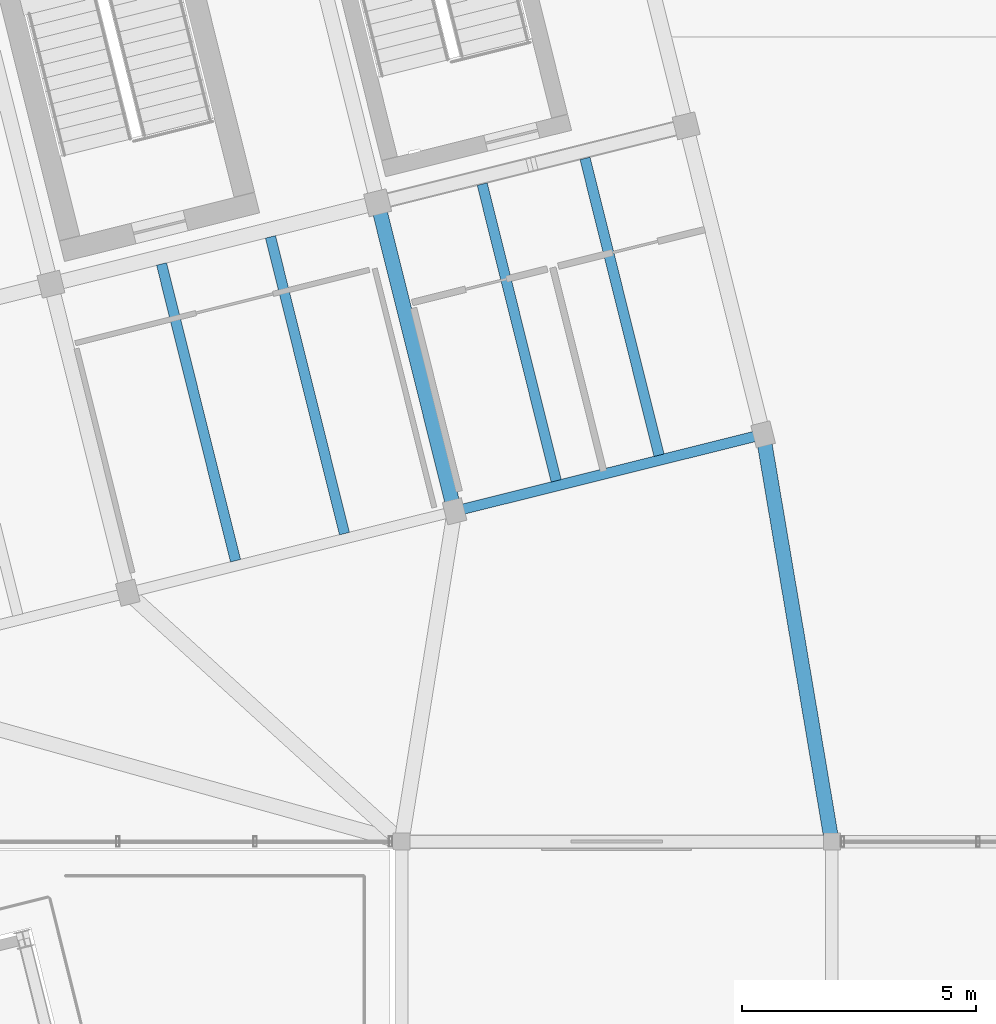
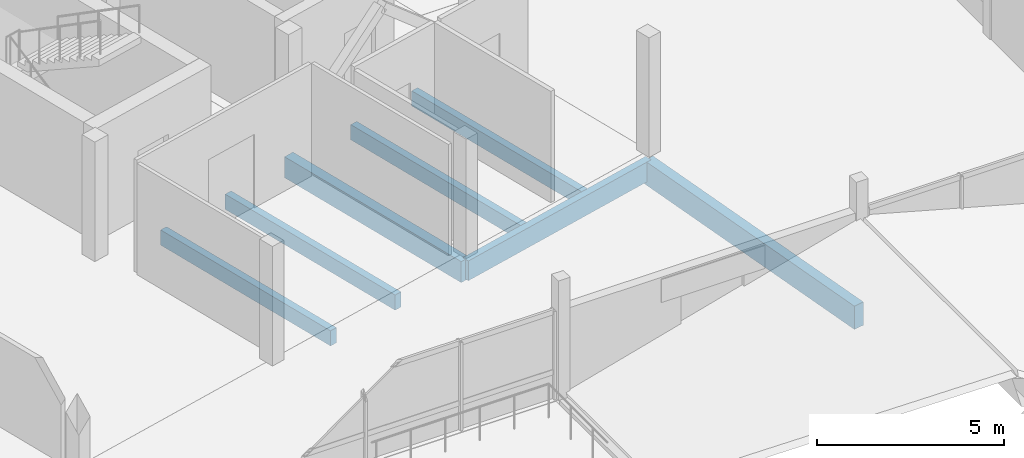
# One storey, part 18 of 39: 7 beams.
"""IFC4 building model written with IfcOpenShell, lengths in metres."""

from ifc_helpers import new_model, si_unit, direction, frame, origin, origin_2d, place, context, subcontext, project, spatial, rectangle, extrude, material, material_profile, profile_set, type_object, element, save


model = new_model("IFC4")

# Units and contexts
model_context = context("Model", 3, precision=1e-05, world=origin(), true_north=direction((0.0, 1.0)))
body_context = subcontext(model_context, "Body", "Model", "MODEL_VIEW")
ifc_project = project(units=[si_unit("LENGTHUNIT", "METRE"), si_unit("AREAUNIT", "SQUARE_METRE"), si_unit("VOLUMEUNIT", "CUBIC_METRE"), si_unit("PLANEANGLEUNIT", "RADIAN"), si_unit("MASSUNIT", "GRAM", prefix="KILO")], contexts=[model_context])

# Site, building, storey
site_placement = place(None, origin())
site = spatial("IfcSite", under=ifc_project, at=site_placement, CompositionType="ELEMENT")
building_placement = place(site_placement, origin())
building = spatial("IfcBuilding", under=site, at=building_placement, Name="Meriwether Solvik Hall", CompositionType="ELEMENT")
storey_placement = place(building_placement, frame((0.0, 0.0, 22.199951171875)))
storey = spatial("IfcBuildingStorey", under=building, at=storey_placement, Name="L05", CompositionType="ELEMENT", Elevation=22.199951171875)

# Beams
ifc_material_1 = material(Name="Glulam Douglas-Fir 24F-V8 GL28h", Category="wood")
ifc_material_profile_1 = material_profile(ifc_material_1, rectangle(XDim=0.221923828125, YDim=0.64501953125, at=origin_2d()), Name="GLB-222X645")
ifc_profile_set_1 = profile_set([ifc_material_profile_1], Name="Glulam Douglas-Fir 24F-V8 GL28h")
beam_type_1 = type_object("IfcBeamType", Name="BM-GL-222X645", PredefinedType="SPANDREL", material=ifc_profile_set_1)
beam_1_placement = place(storey_placement, frame((96.9326171875, 48.26416015625, -0.5673828125), z_axis=(0.970298579828, 0.24191045034, 0.0), x_axis=(-0.24191045034, 0.970298579828, 0.0)))
element("IfcBeam", 1, at=beam_1_placement, inside=storey, type_object=beam_type_1, Name="Tower Girder TA:T5-T6 (L05)", PredefinedType="SPANDREL", context=body_context, shape_type="SweptSolid", body=[
    extrude(rectangle(XDim=0.221923828125, YDim=0.64501953125, at=origin_2d()), origin(), (0.0, 0.0, 1.0), 6.800048828125),
])
ifc_material_2 = material(Name="Glulam Douglas-Fir 24F-V8 GL28h", Category="wood")
ifc_material_profile_2 = material_profile(ifc_material_2, rectangle(XDim=0.31494140625, YDim=0.68505859375, at=origin_2d()), Name="GLB-315X685")
ifc_profile_set_2 = profile_set([ifc_material_profile_2], Name="Glulam Douglas-Fir 24F-V8 GL28h")
beam_type_2 = type_object("IfcBeamType", Name="BM-GL-315X685", PredefinedType="BEAM", material=ifc_profile_set_2)
beam_2_placement = place(storey_placement, frame((96.9326171875, 48.26416015625, -0.58740234375), z_axis=(-0.241918877831, 0.970296478685, 0.0), x_axis=(-0.970296478685, -0.241918877831, 0.0)))
element("IfcBeam", 2, at=beam_2_placement, inside=storey, type_object=beam_type_2, Name="Tower Girder T5:TA-TB (L05)", PredefinedType="BEAM", context=body_context, shape_type="SweptSolid", body=[
    extrude(rectangle(XDim=0.31494140625, YDim=0.68505859375, at=origin_2d()), origin(), (0.0, 0.0, 1.0), 6.7998046875),
])
ifc_material_3 = material(Name="Glulam Douglas-Fir 24F-V8 GL28h", Category="wood")
ifc_material_profile_3 = material_profile(ifc_material_3, rectangle(XDim=0.31494140625, YDim=0.760009765625, at=origin_2d()), Name="GLB-315X760")
ifc_profile_set_3 = profile_set([ifc_material_profile_3], Name="Glulam Douglas-Fir 24F-V8 GL28h")
beam_type_3 = type_object("IfcBeamType", Name="BM-GL-315X760", PredefinedType="BEAM", material=ifc_profile_set_3)
beam_3_placement = place(storey_placement, frame((103.53076171875, 49.9091796875, -0.625), z_axis=(0.166348535765, -0.986067018335, 0.0), x_axis=(0.986067018335, 0.166348535765, 0.0)))
element("IfcBeam", 3, at=beam_3_placement, inside=storey, type_object=beam_type_3, Name="Diaphragm Collector Girder T6/TA-12/E (L05)", PredefinedType="BEAM", context=body_context, shape_type="SweptSolid", body=[
    extrude(rectangle(XDim=0.31494140625, YDim=0.760009765625, at=origin_2d()), origin(), (0.0, 0.0, 1.0), 8.832275390625),
])
ifc_material_4 = material(Name="Glulam Douglas-Fir 24F-V8 GL28h", Category="wood")
ifc_material_profile_4 = material_profile(ifc_material_4, rectangle(XDim=0.221923828125, YDim=0.4951171875, at=origin_2d()), Name="GLJ-222X495")
ifc_profile_set_4 = profile_set([ifc_material_profile_4], Name="Glulam Douglas-Fir 24F-V8 GL28h")
beam_type_4 = type_object("IfcBeamType", Name="JST-GL-222X495", PredefinedType="JOIST", material=ifc_profile_set_4)
for number, where, z_axis, x_axis, name in (
    (4, (92.24951171875, 47.205810546875, -0.492431640625), (-0.241920861923, 0.970295984, 0.0), (-0.970295984, -0.241920861923, 0.0), "Glulam Floor Joist T4/TA-J1 (L05)"),
    (5, (94.578369140625, 47.786376953125, -0.492431640625), (-0.241920861923, 0.970295984, 0.0), (-0.970295984, -0.241920861923, 0.0), "Glulam Floor Joist T4/TA-J2 (L05)"),
    (6, (99.1064453125, 48.915283203125, -0.492431640625), (-0.241920861923, 0.970295984, 0.0), (-0.970295984, -0.241920861923, 0.0), "Glulam Floor Joist T5/TA-J1 (L05)"),
    (7, (101.3056640625, 49.463623046875, -0.492431640625), (-0.241920861923, 0.970295984, 0.0), (-0.970295984, -0.241920861923, 0.0), "Glulam Floor Joist T5/TA-J2 (L05)"),
):
    element("IfcBeam", number, at=place(storey_placement, frame(where, z_axis=z_axis, x_axis=x_axis)), inside=storey, type_object=beam_type_4, Name=name, PredefinedType="JOIST", context=body_context, shape_type="SweptSolid", body=[
        extrude(rectangle(XDim=0.221923828125, YDim=0.4951171875, at=origin_2d()), origin(), (0.0, 0.0, 1.0), 6.54150390625),
    ])

save(model, "model.ifc")
